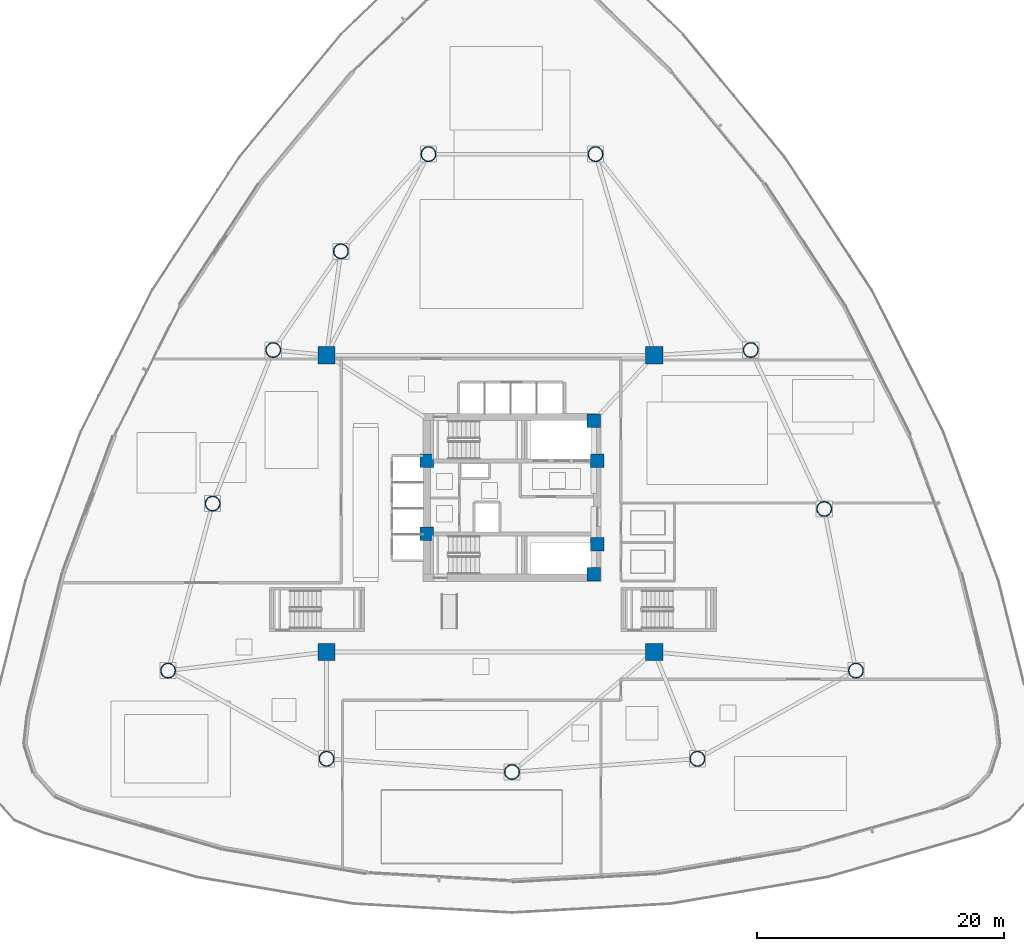
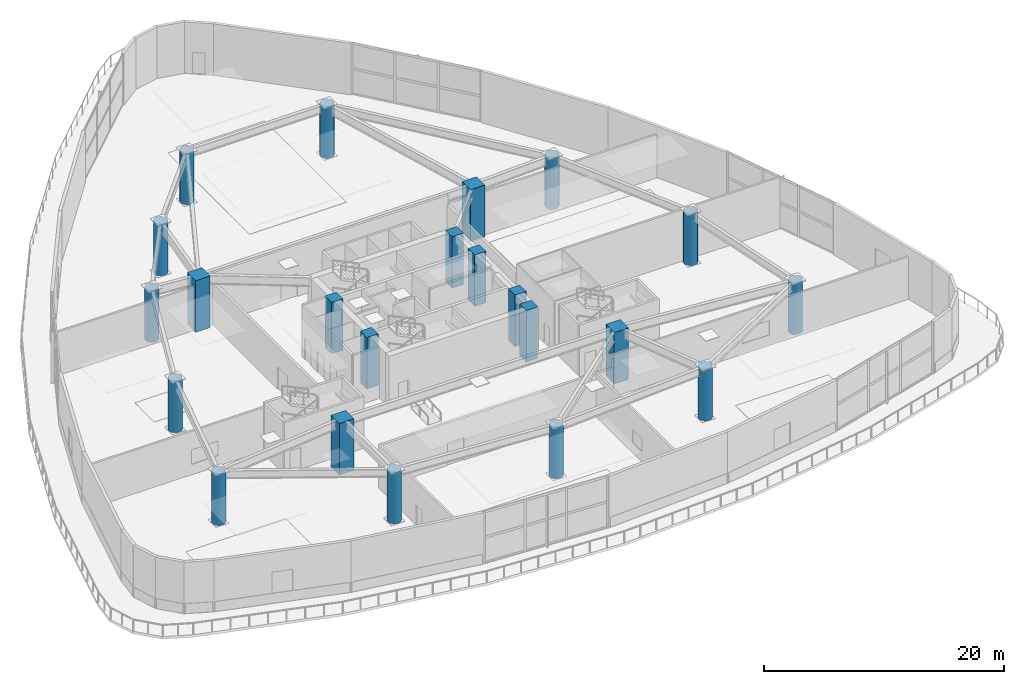
# One storey, part 1 of 26: 22 columns.
"""IFC4 building model written with IfcOpenShell, lengths in metres."""

from ifc_helpers import new_model, si_unit, direction, frame, origin, origin_2d, place, context, subcontext, project, spatial, rectangle, hollow_circle, extrude, material, material_profile, profile_set, type_object, element, save


model = new_model("IFC4")

# Units and contexts
model_context = context("Model", 3, precision=1e-05, world=origin(), true_north=direction((0.0, 1.0)))
body_context = subcontext(model_context, "Body", "Model", "MODEL_VIEW")
ifc_project = project(units=[si_unit("LENGTHUNIT", "METRE"), si_unit("AREAUNIT", "SQUARE_METRE"), si_unit("VOLUMEUNIT", "CUBIC_METRE"), si_unit("PLANEANGLEUNIT", "RADIAN"), si_unit("MASSUNIT", "GRAM", prefix="KILO")], contexts=[model_context])

# Site, building, storey
site_placement = place(None, origin())
site = spatial("IfcSite", under=ifc_project, at=site_placement, CompositionType="ELEMENT")
building_placement = place(site_placement, origin())
building = spatial("IfcBuilding", under=site, at=building_placement, Name="Tavelor Broadcast Tower", CompositionType="ELEMENT")
storey_placement = place(building_placement, frame((0.0, 0.0, 5.800048828125)))
storey = spatial("IfcBuildingStorey", under=building, at=storey_placement, Name="L01", CompositionType="ELEMENT", Elevation=5.800048828125)

# Columns
ifc_material_1 = material(Name="Concrete C60/75", Category="concrete")
ifc_material_profile_1 = material_profile(ifc_material_1, rectangle(XDim=1.10009765625, YDim=1.10009765625, at=origin_2d()), Name="RC 1100x1100")
ifc_profile_set_1 = profile_set([ifc_material_profile_1], Name="Concrete C60/75")
column_type_1 = type_object("IfcColumnType", Name="Core Embedded Composite Column RC1100", PredefinedType="COLUMN", material=ifc_profile_set_1)
for number, where, z_axis, x_axis, name in (
    (1, (43.10009765625, 47.949951171875, 0.0), (0.0, 0.0, 1.0), (1.0, 0.0, 0.0), "L01 Core Embedded Column 1"),
    (2, (56.89990234375, 47.949951171875, 0.0), (0.0, 0.0, 1.0), (1.0, 0.0, 0.0), "L01 Core Embedded Column 2"),
    (3, (56.60009765625, 51.199951171875, 0.0), (0.0, 0.0, 1.0), (1.0, 0.0, 0.0), "L01 Core Embedded Column 3"),
    (4, (43.10009765625, 42.050048828125, 0.0), (0.0, 0.0, 1.0), (1.0, 0.0, 0.0), "L01 Core Embedded Column 4"),
    (5, (56.89990234375, 41.199951171875, 0.0), (0.0, 0.0, 1.0), (1.0, 0.0, 0.0), "L01 Core Embedded Column 5"),
    (6, (56.60009765625, 38.800048828125, 0.0), (0.0, 0.0, 1.0), (1.0, 0.0, 0.0), "L01 Core Embedded Column 6"),
):
    element("IfcColumn", number, at=place(storey_placement, frame(where, z_axis=z_axis, x_axis=x_axis)), inside=storey, type_object=column_type_1, Name=name, PredefinedType="COLUMN", context=body_context, shape_type="SweptSolid", body=[
        extrude(rectangle(XDim=1.10009765625, YDim=1.10009765625, at=origin_2d()), origin(), (0.0, 0.0, 1.0), 5.25),
    ])
ifc_material_profile_2 = material_profile(ifc_material_1, rectangle(XDim=1.39990234375, YDim=1.39990234375, at=origin_2d()), Name="RC 1400x1400")
ifc_profile_set_2 = profile_set([ifc_material_profile_2], Name="Concrete C60/75")
column_type_2 = type_object("IfcColumnType", Name="Podium Composite Mega Column RC1400", PredefinedType="COLUMN", material=ifc_profile_set_2)
for number, where, z_axis, x_axis, name in (
    (7, (35.0, 32.5, 0.0), (0.0, 0.0, 1.0), (1.0, 0.0, 0.0), "L01 Studio Inner Mega Column 1"),
    (8, (61.5, 32.5, 0.0), (0.0, 0.0, 1.0), (1.0, 0.0, 0.0), "L01 Studio Inner Mega Column 2"),
    (9, (61.5, 56.5, 0.0), (0.0, 0.0, 1.0), (1.0, 0.0, 0.0), "L01 Studio Inner Mega Column 3"),
    (10, (35.0, 56.5, 0.0), (0.0, 0.0, 1.0), (1.0, 0.0, 0.0), "L01 Studio Inner Mega Column 4"),
):
    element("IfcColumn", number, at=place(storey_placement, frame(where, z_axis=z_axis, x_axis=x_axis)), inside=storey, type_object=column_type_2, Name=name, PredefinedType="COLUMN", context=body_context, shape_type="SweptSolid", body=[
        extrude(rectangle(XDim=1.39990234375, YDim=1.39990234375, at=origin_2d()), origin(), (0.0, 0.0, 1.0), 5.25),
    ])
ifc_material_2 = material(Name="Steel S460", Category="steel")
ifc_material_profile_3 = material_profile(ifc_material_2, hollow_circle(Radius=0.609619140625, WallThickness=0.050048828125, at=origin_2d()), Name="CHS 1219x50")
ifc_profile_set_3 = profile_set([ifc_material_profile_3], Name="Steel S460")
column_type_3 = type_object("IfcColumnType", Name="Podium Perimeter Mega Column CHS1219", PredefinedType="COLUMN", material=ifc_profile_set_3)
for number, where, z_axis, x_axis, name in (
    (11, (43.247314453125, 72.7509765625, 0.0), (0.0, 0.0, 1.0), (1.0, 0.0, 0.0), "L01 Podium Perimeter Mega Column 1"),
    (12, (36.170166015625, 64.893310546875, 0.0), (0.0, 0.0, 1.0), (1.0, 0.0, 0.0), "L01 Podium Perimeter Mega Column 2"),
    (13, (30.69921875, 56.9111328125, 0.0), (0.0, 0.0, 1.0), (1.0, 0.0, 0.0), "L01 Podium Perimeter Mega Column 3"),
    (14, (25.800048828125, 44.5, 0.0), (0.0, 0.0, 1.0), (1.0, 0.0, 0.0), "L01 Podium Perimeter Mega Column 4"),
    (15, (22.199951171875, 31.0, 0.0), (0.0, 0.0, 1.0), (1.0, 0.0, 0.0), "L01 Podium Perimeter Mega Column 5"),
    (16, (35.01220703125, 23.87109375, 0.0), (0.0, 0.0, 1.0), (1.0, 0.0, 0.0), "L01 Podium Perimeter Mega Column 6"),
    (17, (50.0, 22.800048828125, 0.0), (0.0, 0.0, 1.0), (1.0, 0.0, 0.0), "L01 Podium Perimeter Mega Column 7"),
    (18, (64.98779296875, 23.87109375, 0.0), (0.0, 0.0, 1.0), (1.0, 0.0, 0.0), "L01 Podium Perimeter Mega Column 8"),
    (19, (77.800048828125, 31.0, 0.0), (0.0, 0.0, 1.0), (1.0, 0.0, 0.0), "L01 Podium Perimeter Mega Column 9"),
    (20, (75.2412109375, 44.070068359375, 0.0), (0.0, 0.0, 1.0), (1.0, 0.0, 0.0), "L01 Podium Perimeter Mega Column 10"),
    (21, (69.30078125, 56.9111328125, 0.0), (0.0, 0.0, 1.0), (1.0, 0.0, 0.0), "L01 Podium Perimeter Mega Column 11"),
    (22, (56.752685546875, 72.7509765625, 0.0), (0.0, 0.0, 1.0), (1.0, 0.0, 0.0), "L01 Podium Perimeter Mega Column 12"),
):
    element("IfcColumn", number, at=place(storey_placement, frame(where, z_axis=z_axis, x_axis=x_axis)), inside=storey, type_object=column_type_3, Name=name, PredefinedType="COLUMN", context=body_context, shape_type="SweptSolid", body=[
        extrude(hollow_circle(Radius=0.609619140625, WallThickness=0.050048828125, at=origin_2d()), origin(), (0.0, 0.0, 1.0), 5.25),
    ])

save(model, "model.ifc")
